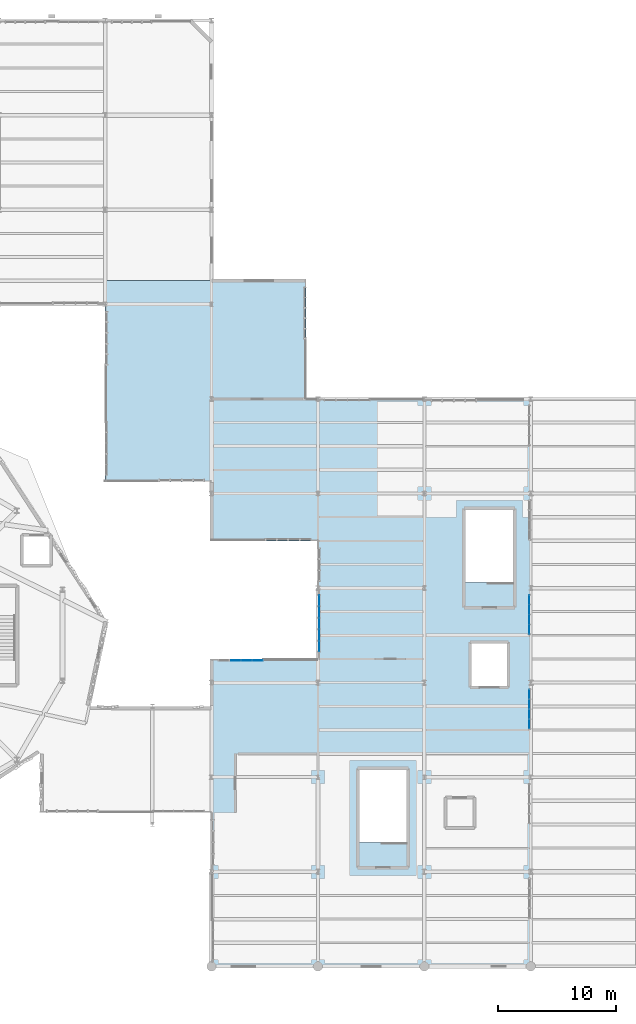
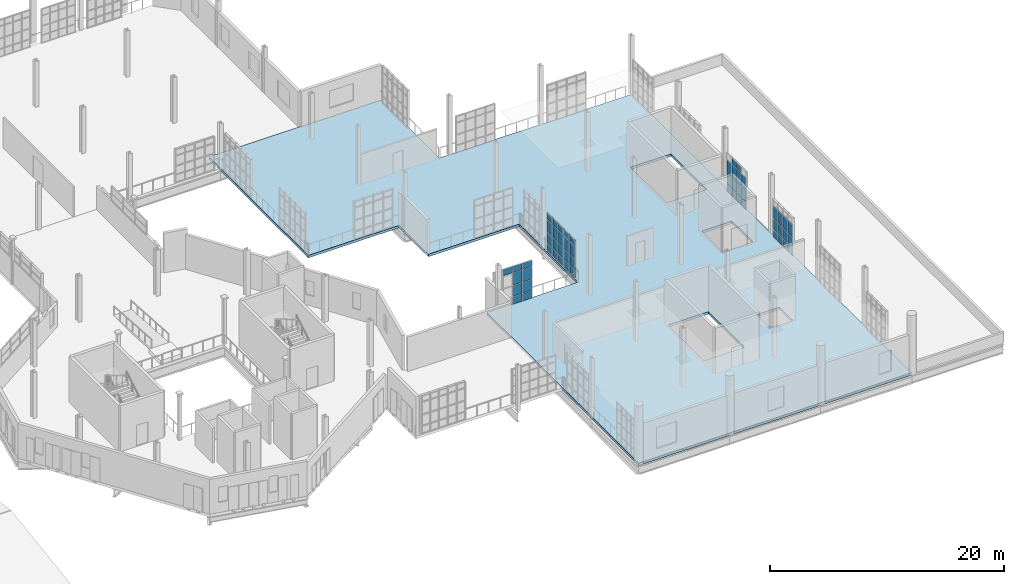
# One storey, part 91 of 118: 55 plates, 1 slab, 4 elements without a shape of their own.
"""IFC4 building model written with IfcOpenShell, lengths in metres."""

from ifc_helpers import new_model, si_unit, direction, frame, origin, origin_2d, place, context, subcontext, project, spatial, polyline, rectangle, outline, extrude, material, layer, layer_set, type_object, element, aggregate, save


model = new_model("IFC4")

# Units and contexts
model_context = context("Model", 3, precision=1e-05, world=origin(), true_north=direction((0.0, 1.0)))
body_context = subcontext(model_context, "Body", "Model", "MODEL_VIEW")
ifc_project = project(units=[si_unit("LENGTHUNIT", "METRE"), si_unit("AREAUNIT", "SQUARE_METRE"), si_unit("VOLUMEUNIT", "CUBIC_METRE"), si_unit("PLANEANGLEUNIT", "RADIAN"), si_unit("MASSUNIT", "GRAM", prefix="KILO"), si_unit("THERMODYNAMICTEMPERATUREUNIT", "KELVIN"), si_unit("POWERUNIT", "WATT")], contexts=[model_context])

# Site, building, storey
site_placement = place(None, origin())
site = spatial("IfcSite", under=ifc_project, at=site_placement, CompositionType="ELEMENT")
building_placement = place(site_placement, origin())
building = spatial("IfcBuilding", under=site, at=building_placement, Name="Zelmaris Science Centre", CompositionType="ELEMENT")
storey_placement = place(building_placement, frame((0.0, 0.0, 15.60009765625)))
storey = spatial("IfcBuildingStorey", under=building, at=storey_placement, Name="L03", CompositionType="ELEMENT", Elevation=15.60009765625)

# Curtain wall, plates
ifc_material_1 = material(Name="Anodised architectural aluminium 6063-T6", Category="aluminium")
ifc_layer_1 = layer(ifc_material_1, 0.18994140625, Name="Anodised architectural aluminium 6063-T6")
ifc_layer_set_1 = layer_set([ifc_layer_1], Name="Anodised architectural aluminium 6063-T6")
curtain_wall_type_1 = type_object("IfcCurtainWallType", Name="Curtain Wall CW-01", PredefinedType="USERDEFINED", material=ifc_layer_set_1)
curtain_wall_1_placement = place(storey_placement, origin())
curtain_wall_1 = element("IfcCurtainWall", 1, at=curtain_wall_1_placement, inside=storey, type_object=curtain_wall_type_1, Name="L03 Unitised curtain wall 325", ObjectType="GLAZED CURTAIN WALL", PredefinedType="USERDEFINED")
ifc_material_2 = material(Name="Laminated hurricane-rated low-E insulated glazing", Category="glass")
ifc_layer_2 = layer(ifc_material_2, 0.031982421875, Name="Laminated hurricane-rated low-E insulated glazing")
ifc_layer_set_2 = layer_set([ifc_layer_2], Name="Laminated hurricane-rated low-E insulated glazing")
plate_type_1 = type_object("IfcPlateType", Name="Curtain Glazing Panel CWP-1 32mm", PredefinedType="CURTAIN_PANEL", material=ifc_layer_set_2)
plate_1_placement = place(storey_placement, frame((117.11083984375, 35.073974609375, 0.05712890625), z_axis=(0.0, 0.0, 1.0), x_axis=(0.001021804788, 0.999999477957, 0.0)))
plate_1 = element("IfcPlate", 2, at=plate_1_placement, type_object=plate_type_1, Name="CW-01 panel 1.1", PredefinedType="CURTAIN_PANEL", context=body_context, shape_type="SweptSolid", body=[
    extrude(rectangle(XDim=0.87060546875, YDim=0.031982421875, at=origin_2d()), origin(), (0.0, 0.0, 1.0), 0.741943359375),
])
plate_2_placement = place(storey_placement, frame((117.11083984375, 35.073974609375, 0.870849609375), z_axis=(0.0, 0.0, 1.0), x_axis=(0.001021804788, 0.999999477957, 0.0)))
plate_2 = element("IfcPlate", 3, at=plate_2_placement, type_object=plate_type_1, Name="CW-01 panel 1.2", PredefinedType="CURTAIN_PANEL", context=body_context, shape_type="SweptSolid", body=[
    extrude(rectangle(XDim=0.87060546875, YDim=0.031982421875, at=origin_2d()), origin(), (0.0, 0.0, 1.0), 1.1005859375),
])
plate_3_placement = place(storey_placement, frame((117.11083984375, 35.073974609375, 2.04345703125), z_axis=(0.0, 0.0, 1.0), x_axis=(0.001021804788, 0.999999477957, 0.0)))
plate_3 = element("IfcPlate", 4, at=plate_3_placement, type_object=plate_type_1, Name="CW-01 panel 1.3", PredefinedType="CURTAIN_PANEL", context=body_context, shape_type="SweptSolid", body=[
    extrude(rectangle(XDim=0.87060546875, YDim=0.031982421875, at=origin_2d()), origin(), (0.0, 0.0, 1.0), 1.25048828125),
])
plate_4_placement = place(storey_placement, frame((117.11083984375, 35.073974609375, 3.36572265625), z_axis=(0.0, 0.0, 1.0), x_axis=(0.001021804788, 0.999999477957, 0.0)))
plate_4 = element("IfcPlate", 5, at=plate_4_placement, type_object=plate_type_1, Name="CW-01 panel 1.4", PredefinedType="CURTAIN_PANEL", context=body_context, shape_type="SweptSolid", body=[
    extrude(rectangle(XDim=0.87060546875, YDim=0.031982421875, at=origin_2d()), origin(), (0.0, 0.0, 1.0), 0.592041015625),
])
plate_5_placement = place(storey_placement, frame((117.11181640625, 36.03466796875, 0.05712890625), z_axis=(0.0, 0.0, 1.0), x_axis=(0.001021804788, 0.999999477957, 0.0)))
plate_5 = element("IfcPlate", 6, at=plate_5_placement, type_object=plate_type_1, Name="CW-01 panel 2.1", PredefinedType="CURTAIN_PANEL", context=body_context, shape_type="SweptSolid", body=[
    extrude(rectangle(XDim=0.90673828125, YDim=0.031982421875, at=origin_2d()), origin(), (0.0, 0.0, 1.0), 0.741943359375),
])
plate_6_placement = place(storey_placement, frame((117.11181640625, 36.03466796875, 0.870849609375), z_axis=(0.0, 0.0, 1.0), x_axis=(0.001021804788, 0.999999477957, 0.0)))
plate_6 = element("IfcPlate", 7, at=plate_6_placement, type_object=plate_type_1, Name="CW-01 panel 2.2", PredefinedType="CURTAIN_PANEL", context=body_context, shape_type="SweptSolid", body=[
    extrude(rectangle(XDim=0.90673828125, YDim=0.031982421875, at=origin_2d()), origin(), (0.0, 0.0, 1.0), 1.1005859375),
])
plate_7_placement = place(storey_placement, frame((117.11181640625, 36.03466796875, 2.04345703125), z_axis=(0.0, 0.0, 1.0), x_axis=(0.001021804788, 0.999999477957, 0.0)))
plate_7 = element("IfcPlate", 8, at=plate_7_placement, type_object=plate_type_1, Name="CW-01 panel 2.3", PredefinedType="CURTAIN_PANEL", context=body_context, shape_type="SweptSolid", body=[
    extrude(rectangle(XDim=0.90673828125, YDim=0.031982421875, at=origin_2d()), origin(), (0.0, 0.0, 1.0), 1.25048828125),
])
plate_8_placement = place(storey_placement, frame((117.11181640625, 36.03466796875, 3.36572265625), z_axis=(0.0, 0.0, 1.0), x_axis=(0.001021804788, 0.999999477957, 0.0)))
plate_8 = element("IfcPlate", 9, at=plate_8_placement, type_object=plate_type_1, Name="CW-01 panel 2.4", PredefinedType="CURTAIN_PANEL", context=body_context, shape_type="SweptSolid", body=[
    extrude(rectangle(XDim=0.90673828125, YDim=0.031982421875, at=origin_2d()), origin(), (0.0, 0.0, 1.0), 0.592041015625),
])
plate_9_placement = place(storey_placement, frame((117.11279296875, 37.01318359375, 0.05712890625), z_axis=(0.0, 0.0, 1.0), x_axis=(0.001021804788, 0.999999477957, 0.0)))
plate_9 = element("IfcPlate", 10, at=plate_9_placement, type_object=plate_type_1, Name="CW-01 panel 3.1", PredefinedType="CURTAIN_PANEL", context=body_context, shape_type="SweptSolid", body=[
    extrude(rectangle(XDim=0.90673828125, YDim=0.031982421875, at=origin_2d()), origin(), (0.0, 0.0, 1.0), 0.741943359375),
])
plate_10_placement = place(storey_placement, frame((117.11279296875, 37.01318359375, 0.870849609375), z_axis=(0.0, 0.0, 1.0), x_axis=(0.001021804788, 0.999999477957, 0.0)))
plate_10 = element("IfcPlate", 11, at=plate_10_placement, type_object=plate_type_1, Name="CW-01 panel 3.2", PredefinedType="CURTAIN_PANEL", context=body_context, shape_type="SweptSolid", body=[
    extrude(rectangle(XDim=0.90673828125, YDim=0.031982421875, at=origin_2d()), origin(), (0.0, 0.0, 1.0), 1.1005859375),
])
plate_11_placement = place(storey_placement, frame((117.11279296875, 37.01318359375, 2.04345703125), z_axis=(0.0, 0.0, 1.0), x_axis=(0.001021804788, 0.999999477957, 0.0)))
plate_11 = element("IfcPlate", 12, at=plate_11_placement, type_object=plate_type_1, Name="CW-01 panel 3.3", PredefinedType="CURTAIN_PANEL", context=body_context, shape_type="SweptSolid", body=[
    extrude(rectangle(XDim=0.90673828125, YDim=0.031982421875, at=origin_2d()), origin(), (0.0, 0.0, 1.0), 1.25048828125),
])
plate_12_placement = place(storey_placement, frame((117.11279296875, 37.01318359375, 3.36572265625), z_axis=(0.0, 0.0, 1.0), x_axis=(0.001021804788, 0.999999477957, 0.0)))
plate_12 = element("IfcPlate", 13, at=plate_12_placement, type_object=plate_type_1, Name="CW-01 panel 3.4", PredefinedType="CURTAIN_PANEL", context=body_context, shape_type="SweptSolid", body=[
    extrude(rectangle(XDim=0.90673828125, YDim=0.031982421875, at=origin_2d()), origin(), (0.0, 0.0, 1.0), 0.592041015625),
])
plate_13_placement = place(storey_placement, frame((117.114013671875, 37.991943359375, 0.05712890625), z_axis=(0.0, 0.0, 1.0), x_axis=(0.001021804788, 0.999999477957, 0.0)))
plate_13 = element("IfcPlate", 14, at=plate_13_placement, type_object=plate_type_1, Name="CW-01 panel 4.1", PredefinedType="CURTAIN_PANEL", context=body_context, shape_type="SweptSolid", body=[
    extrude(rectangle(XDim=0.90673828125, YDim=0.031982421875, at=origin_2d()), origin(), (0.0, 0.0, 1.0), 0.741943359375),
])
plate_14_placement = place(storey_placement, frame((117.114013671875, 37.991943359375, 0.870849609375), z_axis=(0.0, 0.0, 1.0), x_axis=(0.001021804788, 0.999999477957, 0.0)))
plate_14 = element("IfcPlate", 15, at=plate_14_placement, type_object=plate_type_1, Name="CW-01 panel 4.2", PredefinedType="CURTAIN_PANEL", context=body_context, shape_type="SweptSolid", body=[
    extrude(rectangle(XDim=0.90673828125, YDim=0.031982421875, at=origin_2d()), origin(), (0.0, 0.0, 1.0), 1.1005859375),
])
plate_15_placement = place(storey_placement, frame((117.114013671875, 37.991943359375, 2.04345703125), z_axis=(0.0, 0.0, 1.0), x_axis=(0.001021804788, 0.999999477957, 0.0)))
plate_15 = element("IfcPlate", 16, at=plate_15_placement, type_object=plate_type_1, Name="CW-01 panel 4.3", PredefinedType="CURTAIN_PANEL", context=body_context, shape_type="SweptSolid", body=[
    extrude(rectangle(XDim=0.90673828125, YDim=0.031982421875, at=origin_2d()), origin(), (0.0, 0.0, 1.0), 1.25048828125),
])
plate_16_placement = place(storey_placement, frame((117.114013671875, 37.991943359375, 3.36572265625), z_axis=(0.0, 0.0, 1.0), x_axis=(0.001021804788, 0.999999477957, 0.0)))
plate_16 = element("IfcPlate", 17, at=plate_16_placement, type_object=plate_type_1, Name="CW-01 panel 4.4", PredefinedType="CURTAIN_PANEL", context=body_context, shape_type="SweptSolid", body=[
    extrude(rectangle(XDim=0.90673828125, YDim=0.031982421875, at=origin_2d()), origin(), (0.0, 0.0, 1.0), 0.592041015625),
])
plate_17_placement = place(storey_placement, frame((117.114990234375, 38.95263671875, 0.05712890625), z_axis=(0.0, 0.0, 1.0), x_axis=(0.001021804788, 0.999999477957, 0.0)))
plate_17 = element("IfcPlate", 18, at=plate_17_placement, type_object=plate_type_1, Name="CW-01 panel 5.1", PredefinedType="CURTAIN_PANEL", context=body_context, shape_type="SweptSolid", body=[
    extrude(rectangle(XDim=0.87060546875, YDim=0.031982421875, at=origin_2d()), origin(), (0.0, 0.0, 1.0), 0.741943359375),
])
plate_18_placement = place(storey_placement, frame((117.114990234375, 38.95263671875, 0.870849609375), z_axis=(0.0, 0.0, 1.0), x_axis=(0.001021804788, 0.999999477957, 0.0)))
plate_18 = element("IfcPlate", 19, at=plate_18_placement, type_object=plate_type_1, Name="CW-01 panel 5.2", PredefinedType="CURTAIN_PANEL", context=body_context, shape_type="SweptSolid", body=[
    extrude(rectangle(XDim=0.87060546875, YDim=0.031982421875, at=origin_2d()), origin(), (0.0, 0.0, 1.0), 1.1005859375),
])
plate_19_placement = place(storey_placement, frame((117.114990234375, 38.95263671875, 2.04345703125), z_axis=(0.0, 0.0, 1.0), x_axis=(0.001021804788, 0.999999477957, 0.0)))
plate_19 = element("IfcPlate", 20, at=plate_19_placement, type_object=plate_type_1, Name="CW-01 panel 5.3", PredefinedType="CURTAIN_PANEL", context=body_context, shape_type="SweptSolid", body=[
    extrude(rectangle(XDim=0.87060546875, YDim=0.031982421875, at=origin_2d()), origin(), (0.0, 0.0, 1.0), 1.25048828125),
])
plate_20_placement = place(storey_placement, frame((117.114990234375, 38.95263671875, 3.36572265625), z_axis=(0.0, 0.0, 1.0), x_axis=(0.001021804788, 0.999999477957, 0.0)))
plate_20 = element("IfcPlate", 21, at=plate_20_placement, type_object=plate_type_1, Name="CW-01 panel 5.4", PredefinedType="CURTAIN_PANEL", context=body_context, shape_type="SweptSolid", body=[
    extrude(rectangle(XDim=0.87060546875, YDim=0.031982421875, at=origin_2d()), origin(), (0.0, 0.0, 1.0), 0.592041015625),
])
aggregate(curtain_wall_1, [plate_1, plate_2, plate_3, plate_4, plate_5, plate_6, plate_7, plate_8, plate_9, plate_10, plate_11, plate_12, plate_13, plate_14, plate_15, plate_16, plate_17, plate_18, plate_19, plate_20])

ifc_layer_3 = layer(ifc_material_1, 0.199951171875, Name="Anodised architectural aluminium 6063-T6")
ifc_layer_set_3 = layer_set([ifc_layer_3], Name="Anodised architectural aluminium 6063-T6")
curtain_wall_type_2 = type_object("IfcCurtainWallType", Name="Curtain Wall CW-02", PredefinedType="USERDEFINED", material=ifc_layer_set_3)
curtain_wall_2_placement = place(storey_placement, origin())
curtain_wall_2 = element("IfcCurtainWall", 22, at=curtain_wall_2_placement, inside=storey, type_object=curtain_wall_type_2, Name="L03 Unitised curtain wall 302", ObjectType="GLAZED CURTAIN WALL", PredefinedType="USERDEFINED")
ifc_layer_4 = layer(ifc_material_2, 0.028076171875, Name="Laminated hurricane-rated low-E insulated glazing")
ifc_layer_set_4 = layer_set([ifc_layer_4], Name="Laminated hurricane-rated low-E insulated glazing")
plate_type_2 = type_object("IfcPlateType", Name="Curtain Glazing Panel CWP-2 28mm", PredefinedType="CURTAIN_PANEL", material=ifc_layer_set_4)
plate_21_placement = place(storey_placement, frame((134.8798828125, 31.018310546875, 0.052001953125), z_axis=(0.0, 0.0, 1.0), x_axis=(0.0, -1.0, 0.0)))
plate_21 = element("IfcPlate", 23, at=plate_21_placement, type_object=plate_type_2, Name="CW-02 panel 1.1", PredefinedType="CURTAIN_PANEL", context=body_context, shape_type="SweptSolid", body=[
    extrude(rectangle(XDim=0.74951171875, YDim=0.028076171875, at=origin_2d()), origin(), (0.0, 0.0, 1.0), 0.74951171875),
])
plate_22_placement = place(storey_placement, frame((134.8798828125, 31.018310546875, 0.868408203125), z_axis=(0.0, 0.0, 1.0), x_axis=(0.0, -1.0, 0.0)))
plate_22 = element("IfcPlate", 24, at=plate_22_placement, type_object=plate_type_2, Name="CW-02 panel 1.2", PredefinedType="CURTAIN_PANEL", context=body_context, shape_type="SweptSolid", body=[
    extrude(rectangle(XDim=0.74951171875, YDim=0.028076171875, at=origin_2d()), origin(), (0.0, 0.0, 1.0), 1.10546875),
])
plate_23_placement = place(storey_placement, frame((134.8798828125, 31.018310546875, 2.041015625), z_axis=(0.0, 0.0, 1.0), x_axis=(0.0, -1.0, 0.0)))
plate_23 = element("IfcPlate", 25, at=plate_23_placement, type_object=plate_type_2, Name="CW-02 panel 1.3", PredefinedType="CURTAIN_PANEL", context=body_context, shape_type="SweptSolid", body=[
    extrude(rectangle(XDim=0.74951171875, YDim=0.028076171875, at=origin_2d()), origin(), (0.0, 0.0, 1.0), 1.255615234375),
])
plate_24_placement = place(storey_placement, frame((134.8798828125, 30.18505859375, 0.052001953125), z_axis=(0.0, 0.0, 1.0), x_axis=(0.0, -1.0, 0.0)))
plate_24 = element("IfcPlate", 26, at=plate_24_placement, type_object=plate_type_2, Name="CW-02 panel 2.1", PredefinedType="CURTAIN_PANEL", context=body_context, shape_type="SweptSolid", body=[
    extrude(rectangle(XDim=0.782958984375, YDim=0.028076171875, at=origin_2d()), origin(), (0.0, 0.0, 1.0), 0.74951171875),
])
plate_25_placement = place(storey_placement, frame((134.8798828125, 30.18505859375, 0.868408203125), z_axis=(0.0, 0.0, 1.0), x_axis=(0.0, -1.0, 0.0)))
plate_25 = element("IfcPlate", 27, at=plate_25_placement, type_object=plate_type_2, Name="CW-02 panel 2.2", PredefinedType="CURTAIN_PANEL", context=body_context, shape_type="SweptSolid", body=[
    extrude(rectangle(XDim=0.782958984375, YDim=0.028076171875, at=origin_2d()), origin(), (0.0, 0.0, 1.0), 1.10546875),
])
plate_26_placement = place(storey_placement, frame((134.8798828125, 30.18505859375, 2.041015625), z_axis=(0.0, 0.0, 1.0), x_axis=(0.0, -1.0, 0.0)))
plate_26 = element("IfcPlate", 28, at=plate_26_placement, type_object=plate_type_2, Name="CW-02 panel 2.3", PredefinedType="CURTAIN_PANEL", context=body_context, shape_type="SweptSolid", body=[
    extrude(rectangle(XDim=0.782958984375, YDim=0.028076171875, at=origin_2d()), origin(), (0.0, 0.0, 1.0), 1.255615234375),
])
plate_27_placement = place(storey_placement, frame((134.8798828125, 29.3349609375, 0.052001953125), z_axis=(0.0, 0.0, 1.0), x_axis=(0.0, -1.0, 0.0)))
plate_27 = element("IfcPlate", 29, at=plate_27_placement, type_object=plate_type_2, Name="CW-02 panel 3.1", PredefinedType="CURTAIN_PANEL", context=body_context, shape_type="SweptSolid", body=[
    extrude(rectangle(XDim=0.782958984375, YDim=0.028076171875, at=origin_2d()), origin(), (0.0, 0.0, 1.0), 0.74951171875),
])
plate_28_placement = place(storey_placement, frame((134.8798828125, 29.3349609375, 0.868408203125), z_axis=(0.0, 0.0, 1.0), x_axis=(0.0, -1.0, 0.0)))
plate_28 = element("IfcPlate", 30, at=plate_28_placement, type_object=plate_type_2, Name="CW-02 panel 3.2", PredefinedType="CURTAIN_PANEL", context=body_context, shape_type="SweptSolid", body=[
    extrude(rectangle(XDim=0.782958984375, YDim=0.028076171875, at=origin_2d()), origin(), (0.0, 0.0, 1.0), 1.10546875),
])
plate_29_placement = place(storey_placement, frame((134.8798828125, 29.3349609375, 2.041015625), z_axis=(0.0, 0.0, 1.0), x_axis=(0.0, -1.0, 0.0)))
plate_29 = element("IfcPlate", 31, at=plate_29_placement, type_object=plate_type_2, Name="CW-02 panel 3.3", PredefinedType="CURTAIN_PANEL", context=body_context, shape_type="SweptSolid", body=[
    extrude(rectangle(XDim=0.782958984375, YDim=0.028076171875, at=origin_2d()), origin(), (0.0, 0.0, 1.0), 1.255615234375),
])
plate_30_placement = place(storey_placement, frame((134.8798828125, 28.501708984375, 0.052001953125), z_axis=(0.0, 0.0, 1.0), x_axis=(0.0, -1.0, 0.0)))
plate_30 = element("IfcPlate", 32, at=plate_30_placement, type_object=plate_type_2, Name="CW-02 panel 4.1", PredefinedType="CURTAIN_PANEL", context=body_context, shape_type="SweptSolid", body=[
    extrude(rectangle(XDim=0.74951171875, YDim=0.028076171875, at=origin_2d()), origin(), (0.0, 0.0, 1.0), 0.74951171875),
])
plate_31_placement = place(storey_placement, frame((134.8798828125, 28.501708984375, 0.868408203125), z_axis=(0.0, 0.0, 1.0), x_axis=(0.0, -1.0, 0.0)))
plate_31 = element("IfcPlate", 33, at=plate_31_placement, type_object=plate_type_2, Name="CW-02 panel 4.2", PredefinedType="CURTAIN_PANEL", context=body_context, shape_type="SweptSolid", body=[
    extrude(rectangle(XDim=0.74951171875, YDim=0.028076171875, at=origin_2d()), origin(), (0.0, 0.0, 1.0), 1.10546875),
])
plate_32_placement = place(storey_placement, frame((134.8798828125, 28.501708984375, 2.041015625), z_axis=(0.0, 0.0, 1.0), x_axis=(0.0, -1.0, 0.0)))
plate_32 = element("IfcPlate", 34, at=plate_32_placement, type_object=plate_type_2, Name="CW-02 panel 4.3", PredefinedType="CURTAIN_PANEL", context=body_context, shape_type="SweptSolid", body=[
    extrude(rectangle(XDim=0.74951171875, YDim=0.028076171875, at=origin_2d()), origin(), (0.0, 0.0, 1.0), 1.255615234375),
])
aggregate(curtain_wall_2, [plate_21, plate_22, plate_23, plate_24, plate_25, plate_26, plate_27, plate_28, plate_29, plate_30, plate_31, plate_32])

ifc_layer_5 = layer(ifc_material_1, 0.2099609375, Name="Anodised architectural aluminium 6063-T6")
ifc_layer_set_5 = layer_set([ifc_layer_5], Name="Anodised architectural aluminium 6063-T6")
curtain_wall_type_3 = type_object("IfcCurtainWallType", Name="Curtain Wall CW-03", PredefinedType="USERDEFINED", material=ifc_layer_set_5)
curtain_wall_3_placement = place(storey_placement, origin())
curtain_wall_3 = element("IfcCurtainWall", 35, at=curtain_wall_3_placement, inside=storey, type_object=curtain_wall_type_3, Name="L03 Unitised curtain wall 323", ObjectType="GLAZED CURTAIN WALL", PredefinedType="USERDEFINED")
ifc_layer_6 = layer(ifc_material_2, 0.02587890625, Name="Laminated hurricane-rated low-E insulated glazing")
ifc_layer_set_6 = layer_set([ifc_layer_6], Name="Laminated hurricane-rated low-E insulated glazing")
plate_type_3 = type_object("IfcPlateType", Name="Curtain Glazing Panel CWP-3 26mm", PredefinedType="CURTAIN_PANEL", material=ifc_layer_set_6)
plate_33_placement = place(storey_placement, frame((109.9912109375, 33.8798828125, 3.3583984375), z_axis=(0.0, 0.0, 1.0), x_axis=(0.999999999666, 2.5840455e-05, 0.0)))
plate_33 = element("IfcPlate", 36, at=plate_33_placement, type_object=plate_type_3, Name="CW-03 panel 2.4", PredefinedType="CURTAIN_PANEL", context=body_context, shape_type="SweptSolid", body=[
    extrude(rectangle(XDim=0.910400390625, YDim=0.02587890625, at=origin_2d()), origin(), (0.0, 0.0, 1.0), 0.614501953125),
])
plate_34_placement = place(storey_placement, frame((110.958740234375, 33.8798828125, 0.0419921875), z_axis=(0.0, 0.0, 1.0), x_axis=(0.999999999666, 2.5840455e-05, 0.0)))
plate_34 = element("IfcPlate", 37, at=plate_34_placement, type_object=plate_type_3, Name="CW-03 panel 3.1", PredefinedType="CURTAIN_PANEL", context=body_context, shape_type="SweptSolid", body=[
    extrude(rectangle(XDim=0.910400390625, YDim=0.02587890625, at=origin_2d()), origin(), (0.0, 0.0, 1.0), 0.764404296875),
])
plate_35_placement = place(storey_placement, frame((110.958740234375, 33.8798828125, 0.86328125), z_axis=(0.0, 0.0, 1.0), x_axis=(0.999999999666, 2.5840455e-05, 0.0)))
plate_35 = element("IfcPlate", 38, at=plate_35_placement, type_object=plate_type_3, Name="CW-03 panel 3.2", PredefinedType="CURTAIN_PANEL", context=body_context, shape_type="SweptSolid", body=[
    extrude(rectangle(XDim=0.910400390625, YDim=0.02587890625, at=origin_2d()), origin(), (0.0, 0.0, 1.0), 1.115478515625),
])
plate_36_placement = place(storey_placement, frame((110.958740234375, 33.8798828125, 2.0361328125), z_axis=(0.0, 0.0, 1.0), x_axis=(0.999999999666, 2.5840455e-05, 0.0)))
plate_36 = element("IfcPlate", 39, at=plate_36_placement, type_object=plate_type_3, Name="CW-03 panel 3.3", PredefinedType="CURTAIN_PANEL", context=body_context, shape_type="SweptSolid", body=[
    extrude(rectangle(XDim=0.910400390625, YDim=0.02587890625, at=origin_2d()), origin(), (0.0, 0.0, 1.0), 1.265380859375),
])
plate_37_placement = place(storey_placement, frame((110.958740234375, 33.8798828125, 3.3583984375), z_axis=(0.0, 0.0, 1.0), x_axis=(0.999999999666, 2.5840455e-05, 0.0)))
plate_37 = element("IfcPlate", 40, at=plate_37_placement, type_object=plate_type_3, Name="CW-03 panel 3.4", PredefinedType="CURTAIN_PANEL", context=body_context, shape_type="SweptSolid", body=[
    extrude(rectangle(XDim=0.910400390625, YDim=0.02587890625, at=origin_2d()), origin(), (0.0, 0.0, 1.0), 0.614501953125),
])
plate_38_placement = place(storey_placement, frame((111.912109375, 33.8798828125, 0.0419921875), z_axis=(0.0, 0.0, 1.0), x_axis=(0.999999999666, 2.5840455e-05, 0.0)))
plate_38 = element("IfcPlate", 41, at=plate_38_placement, type_object=plate_type_3, Name="CW-03 panel 4.1", PredefinedType="CURTAIN_PANEL", context=body_context, shape_type="SweptSolid", body=[
    extrude(rectangle(XDim=0.882080078125, YDim=0.02587890625, at=origin_2d()), origin(), (0.0, 0.0, 1.0), 0.764404296875),
])
plate_39_placement = place(storey_placement, frame((111.912109375, 33.8798828125, 0.86328125), z_axis=(0.0, 0.0, 1.0), x_axis=(0.999999999666, 2.5840455e-05, 0.0)))
plate_39 = element("IfcPlate", 42, at=plate_39_placement, type_object=plate_type_3, Name="CW-03 panel 4.2", PredefinedType="CURTAIN_PANEL", context=body_context, shape_type="SweptSolid", body=[
    extrude(rectangle(XDim=0.882080078125, YDim=0.02587890625, at=origin_2d()), origin(), (0.0, 0.0, 1.0), 1.115478515625),
])
plate_40_placement = place(storey_placement, frame((111.912109375, 33.8798828125, 2.0361328125), z_axis=(0.0, 0.0, 1.0), x_axis=(0.999999999666, 2.5840455e-05, 0.0)))
plate_40 = element("IfcPlate", 43, at=plate_40_placement, type_object=plate_type_3, Name="CW-03 panel 4.3", PredefinedType="CURTAIN_PANEL", context=body_context, shape_type="SweptSolid", body=[
    extrude(rectangle(XDim=0.882080078125, YDim=0.02587890625, at=origin_2d()), origin(), (0.0, 0.0, 1.0), 1.265380859375),
])
plate_41_placement = place(storey_placement, frame((111.912109375, 33.8798828125, 3.3583984375), z_axis=(0.0, 0.0, 1.0), x_axis=(0.999999999666, 2.5840455e-05, 0.0)))
plate_41 = element("IfcPlate", 44, at=plate_41_placement, type_object=plate_type_3, Name="CW-03 panel 4.4", PredefinedType="CURTAIN_PANEL", context=body_context, shape_type="SweptSolid", body=[
    extrude(rectangle(XDim=0.882080078125, YDim=0.02587890625, at=origin_2d()), origin(), (0.0, 0.0, 1.0), 0.614501953125),
])
aggregate(curtain_wall_3, [plate_33, plate_34, plate_35, plate_36, plate_37, plate_38, plate_39, plate_40, plate_41])

ifc_layer_7 = layer(ifc_material_1, 0.219970703125, Name="Anodised architectural aluminium 6063-T6")
ifc_layer_set_7 = layer_set([ifc_layer_7], Name="Anodised architectural aluminium 6063-T6")
curtain_wall_type_4 = type_object("IfcCurtainWallType", Name="Curtain Wall CW-04", PredefinedType="USERDEFINED", material=ifc_layer_set_7)
curtain_wall_4_placement = place(storey_placement, origin())
curtain_wall_4 = element("IfcCurtainWall", 45, at=curtain_wall_4_placement, inside=storey, type_object=curtain_wall_type_4, Name="L03 Unitised curtain wall 300", ObjectType="GLAZED CURTAIN WALL", PredefinedType="USERDEFINED")
ifc_layer_8 = layer(ifc_material_2, 0.02392578125, Name="Laminated hurricane-rated low-E insulated glazing")
ifc_layer_set_8 = layer_set([ifc_layer_8], Name="Laminated hurricane-rated low-E insulated glazing")
plate_type_4 = type_object("IfcPlateType", Name="Curtain Glazing Panel CWP-4 24mm", PredefinedType="CURTAIN_PANEL", material=ifc_layer_set_8)
plate_42_placement = place(storey_placement, frame((134.8798828125, 39.02197265625, 0.036865234375), z_axis=(0.0, 0.0, 1.0), x_axis=(0.0, -1.0, 0.0)))
plate_42 = element("IfcPlate", 46, at=plate_42_placement, type_object=plate_type_4, Name="CW-04 panel 1.1", PredefinedType="CURTAIN_PANEL", context=body_context, shape_type="SweptSolid", body=[
    extrude(rectangle(XDim=0.77197265625, YDim=0.02392578125, at=origin_2d()), origin(), (0.0, 0.0, 1.0), 0.77197265625),
])
plate_43_placement = place(storey_placement, frame((134.8798828125, 39.02197265625, 0.86083984375), z_axis=(0.0, 0.0, 1.0), x_axis=(0.0, -1.0, 0.0)))
plate_43 = element("IfcPlate", 47, at=plate_43_placement, type_object=plate_type_4, Name="CW-04 panel 1.2", PredefinedType="CURTAIN_PANEL", context=body_context, shape_type="SweptSolid", body=[
    extrude(rectangle(XDim=0.77197265625, YDim=0.02392578125, at=origin_2d()), origin(), (0.0, 0.0, 1.0), 1.12060546875),
])
plate_44_placement = place(storey_placement, frame((134.8798828125, 39.02197265625, 2.033447265625), z_axis=(0.0, 0.0, 1.0), x_axis=(0.0, -1.0, 0.0)))
plate_44 = element("IfcPlate", 48, at=plate_44_placement, type_object=plate_type_4, Name="CW-04 panel 1.3", PredefinedType="CURTAIN_PANEL", context=body_context, shape_type="SweptSolid", body=[
    extrude(rectangle(XDim=0.77197265625, YDim=0.02392578125, at=origin_2d()), origin(), (0.0, 0.0, 1.0), 1.2705078125),
])
plate_45_placement = place(storey_placement, frame((134.8798828125, 38.18505859375, 0.036865234375), z_axis=(0.0, 0.0, 1.0), x_axis=(0.0, -1.0, 0.0)))
plate_45 = element("IfcPlate", 49, at=plate_45_placement, type_object=plate_type_4, Name="CW-04 panel 2.1", PredefinedType="CURTAIN_PANEL", context=body_context, shape_type="SweptSolid", body=[
    extrude(rectangle(XDim=0.798095703125, YDim=0.02392578125, at=origin_2d()), origin(), (0.0, 0.0, 1.0), 0.77197265625),
])
plate_46_placement = place(storey_placement, frame((134.8798828125, 38.18505859375, 0.86083984375), z_axis=(0.0, 0.0, 1.0), x_axis=(0.0, -1.0, 0.0)))
plate_46 = element("IfcPlate", 50, at=plate_46_placement, type_object=plate_type_4, Name="CW-04 panel 2.2", PredefinedType="CURTAIN_PANEL", context=body_context, shape_type="SweptSolid", body=[
    extrude(rectangle(XDim=0.798095703125, YDim=0.02392578125, at=origin_2d()), origin(), (0.0, 0.0, 1.0), 1.12060546875),
])
plate_47_placement = place(storey_placement, frame((134.8798828125, 38.18505859375, 2.033447265625), z_axis=(0.0, 0.0, 1.0), x_axis=(0.0, -1.0, 0.0)))
plate_47 = element("IfcPlate", 51, at=plate_47_placement, type_object=plate_type_4, Name="CW-04 panel 2.3", PredefinedType="CURTAIN_PANEL", context=body_context, shape_type="SweptSolid", body=[
    extrude(rectangle(XDim=0.798095703125, YDim=0.02392578125, at=origin_2d()), origin(), (0.0, 0.0, 1.0), 1.2705078125),
])
plate_48_placement = place(storey_placement, frame((134.8798828125, 38.18505859375, 3.35595703125), z_axis=(0.0, 0.0, 1.0), x_axis=(0.0, -1.0, 0.0)))
plate_48 = element("IfcPlate", 52, at=plate_48_placement, type_object=plate_type_4, Name="CW-04 panel 2.4", PredefinedType="CURTAIN_PANEL", context=body_context, shape_type="SweptSolid", body=[
    extrude(rectangle(XDim=0.798095703125, YDim=0.02392578125, at=origin_2d()), origin(), (0.0, 0.0, 1.0), 0.6220703125),
])
plate_49_placement = place(storey_placement, frame((134.8798828125, 37.3349609375, 0.036865234375), z_axis=(0.0, 0.0, 1.0), x_axis=(0.0, -1.0, 0.0)))
plate_49 = element("IfcPlate", 53, at=plate_49_placement, type_object=plate_type_4, Name="CW-04 panel 3.1", PredefinedType="CURTAIN_PANEL", context=body_context, shape_type="SweptSolid", body=[
    extrude(rectangle(XDim=0.798095703125, YDim=0.02392578125, at=origin_2d()), origin(), (0.0, 0.0, 1.0), 0.77197265625),
])
plate_50_placement = place(storey_placement, frame((134.8798828125, 37.3349609375, 0.86083984375), z_axis=(0.0, 0.0, 1.0), x_axis=(0.0, -1.0, 0.0)))
plate_50 = element("IfcPlate", 54, at=plate_50_placement, type_object=plate_type_4, Name="CW-04 panel 3.2", PredefinedType="CURTAIN_PANEL", context=body_context, shape_type="SweptSolid", body=[
    extrude(rectangle(XDim=0.798095703125, YDim=0.02392578125, at=origin_2d()), origin(), (0.0, 0.0, 1.0), 1.12060546875),
])
plate_51_placement = place(storey_placement, frame((134.8798828125, 37.3349609375, 2.033447265625), z_axis=(0.0, 0.0, 1.0), x_axis=(0.0, -1.0, 0.0)))
plate_51 = element("IfcPlate", 55, at=plate_51_placement, type_object=plate_type_4, Name="CW-04 panel 3.3", PredefinedType="CURTAIN_PANEL", context=body_context, shape_type="SweptSolid", body=[
    extrude(rectangle(XDim=0.798095703125, YDim=0.02392578125, at=origin_2d()), origin(), (0.0, 0.0, 1.0), 1.2705078125),
])
plate_52_placement = place(storey_placement, frame((134.8798828125, 37.3349609375, 3.35595703125), z_axis=(0.0, 0.0, 1.0), x_axis=(0.0, -1.0, 0.0)))
plate_52 = element("IfcPlate", 56, at=plate_52_placement, type_object=plate_type_4, Name="CW-04 panel 3.4", PredefinedType="CURTAIN_PANEL", context=body_context, shape_type="SweptSolid", body=[
    extrude(rectangle(XDim=0.798095703125, YDim=0.02392578125, at=origin_2d()), origin(), (0.0, 0.0, 1.0), 0.6220703125),
])
plate_53_placement = place(storey_placement, frame((134.8798828125, 36.498046875, 0.036865234375), z_axis=(0.0, 0.0, 1.0), x_axis=(0.0, -1.0, 0.0)))
plate_53 = element("IfcPlate", 57, at=plate_53_placement, type_object=plate_type_4, Name="CW-04 panel 4.1", PredefinedType="CURTAIN_PANEL", context=body_context, shape_type="SweptSolid", body=[
    extrude(rectangle(XDim=0.77197265625, YDim=0.02392578125, at=origin_2d()), origin(), (0.0, 0.0, 1.0), 0.77197265625),
])
plate_54_placement = place(storey_placement, frame((134.8798828125, 36.498046875, 0.86083984375), z_axis=(0.0, 0.0, 1.0), x_axis=(0.0, -1.0, 0.0)))
plate_54 = element("IfcPlate", 58, at=plate_54_placement, type_object=plate_type_4, Name="CW-04 panel 4.2", PredefinedType="CURTAIN_PANEL", context=body_context, shape_type="SweptSolid", body=[
    extrude(rectangle(XDim=0.77197265625, YDim=0.02392578125, at=origin_2d()), origin(), (0.0, 0.0, 1.0), 1.12060546875),
])
plate_55_placement = place(storey_placement, frame((134.8798828125, 36.498046875, 2.033447265625), z_axis=(0.0, 0.0, 1.0), x_axis=(0.0, -1.0, 0.0)))
plate_55 = element("IfcPlate", 59, at=plate_55_placement, type_object=plate_type_4, Name="CW-04 panel 4.3", PredefinedType="CURTAIN_PANEL", context=body_context, shape_type="SweptSolid", body=[
    extrude(rectangle(XDim=0.77197265625, YDim=0.02392578125, at=origin_2d()), origin(), (0.0, 0.0, 1.0), 1.2705078125),
])
aggregate(curtain_wall_4, [plate_42, plate_43, plate_44, plate_45, plate_46, plate_47, plate_48, plate_49, plate_50, plate_51, plate_52, plate_53, plate_54, plate_55])

# Slab
ifc_material_3 = material(Name="Concrete C35/45", Category="concrete")
ifc_layer_9 = layer(ifc_material_3, 0.260009765625, Name="Concrete C35/45")
ifc_layer_set_9 = layer_set([ifc_layer_9], Name="Concrete C35/45")
slab_type = type_object("IfcSlabType", Name="Slab SL-FL260 260mm", PredefinedType="FLOOR", material=ifc_layer_set_9)
slab_placement = place(storey_placement, frame((0.0, 0.0, -0.260009765625)))
element("IfcSlab", 60, at=slab_placement, inside=storey, type_object=slab_type, Name="L03 Environmental laboratories slab", PredefinedType="FLOOR", context=body_context, shape_type="SweptSolid", body=[
    extrude(outline(polyline([(135.0, 8.0), (108.0, 8.0), (108.0, 34.0), (117.0, 34.0), (117.0, 44.0), (108.0, 44.0), (108.0, 49.0), (99.0, 49.0), (99.0, 66.0), (116.0, 66.0), (116.0, 56.0), (135.0, 56.0), (135.0, 8.0)]), holes=[polyline([(124.5, 18.469970703125), (124.5, 24.60009765625), (120.5, 24.60009765625), (120.5, 18.469970703125), (124.5, 18.469970703125)]), polyline([(133.5, 40.469970703125), (133.5, 46.60009765625), (129.5, 46.60009765625), (129.5, 40.469970703125), (133.5, 40.469970703125)]), polyline([(127.89990234375, 19.85009765625), (130.10009765625, 19.85009765625), (130.10009765625, 22.14990234375), (127.89990234375, 22.14990234375), (127.89990234375, 19.85009765625)]), polyline([(130.0, 31.699951171875), (133.0, 31.699951171875), (133.0, 35.300048828125), (130.0, 35.300048828125), (130.0, 31.699951171875)])]), origin(), (0.0, 0.0, 1.0), 0.260009765625),
])

save(model, "model.ifc")
